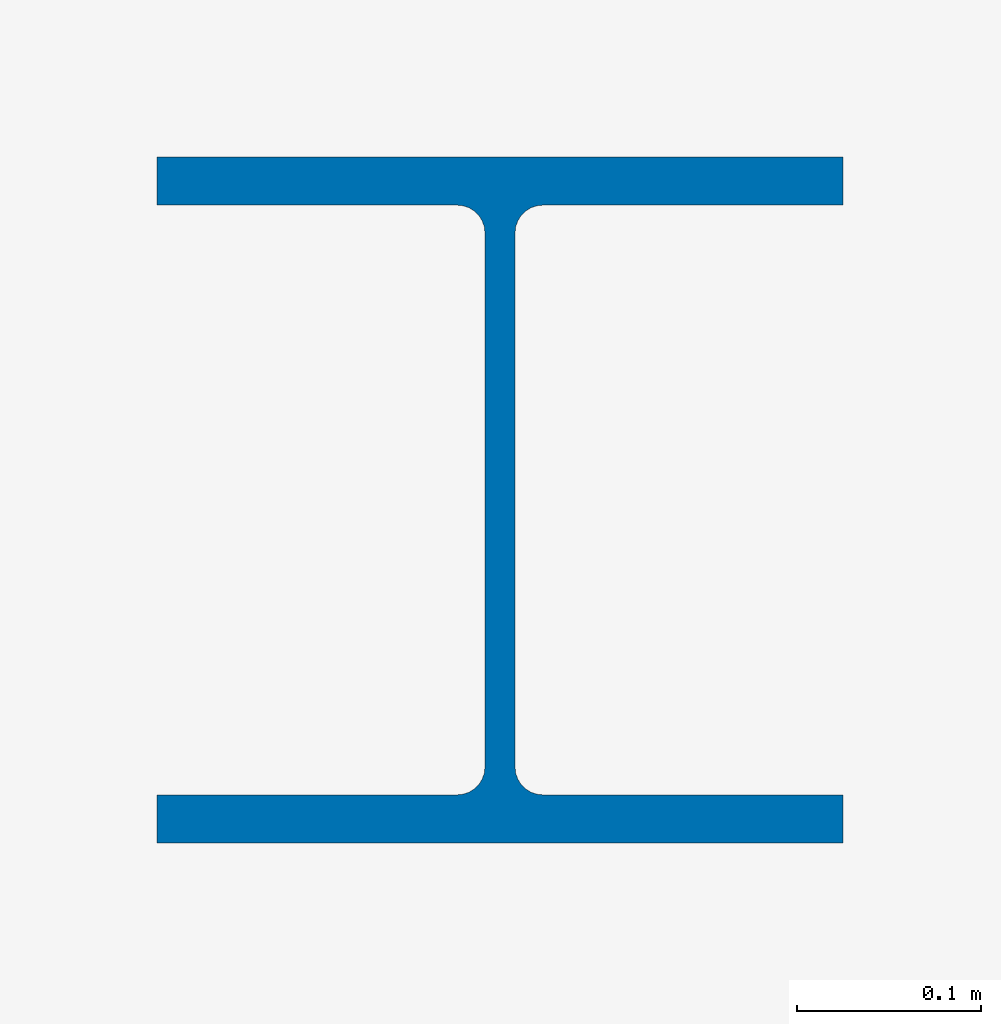
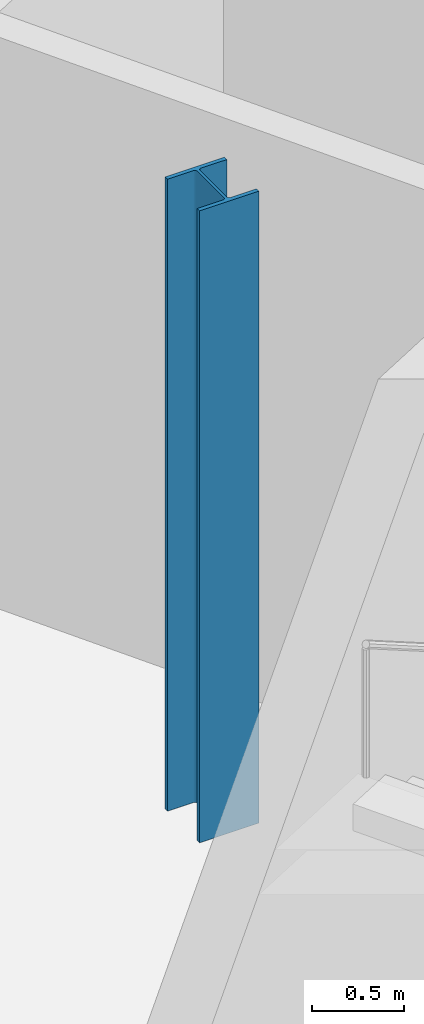
# One storey, part 1 of 15: 1 column.
"""IFC4 building model written with IfcOpenShell, lengths in metres."""

from ifc_helpers import new_model, si_unit, direction, frame, origin, origin_2d, place, context, subcontext, project, spatial, i_section, extrude, material, material_profile, profile_set, type_object, element, save


model = new_model("IFC4")

# Units and contexts
model_context = context("Model", 3, precision=1e-05, world=origin(), true_north=direction((0.0, 1.0)))
body_context = subcontext(model_context, "Body", "Model", "MODEL_VIEW")
ifc_project = project(units=[si_unit("LENGTHUNIT", "METRE"), si_unit("AREAUNIT", "SQUARE_METRE"), si_unit("VOLUMEUNIT", "CUBIC_METRE"), si_unit("PLANEANGLEUNIT", "RADIAN"), si_unit("MASSUNIT", "GRAM", prefix="KILO")], contexts=[model_context])

# Site, building, storey
site_placement = place(None, origin())
site = spatial("IfcSite", under=ifc_project, at=site_placement, CompositionType="ELEMENT")
building_placement = place(site_placement, origin())
building = spatial("IfcBuilding", under=site, at=building_placement, Name="Cormorant Relay Tower", CompositionType="ELEMENT")
storey_placement = place(building_placement, frame((0.0, 0.0, 336.60009765625)))
storey = spatial("IfcBuildingStorey", under=building, at=storey_placement, Name="C3", CompositionType="ELEMENT", Elevation=336.60009765625)

# Column
ifc_material = material(Name="Steel ASTM A992 (Fy 345 MPa)", Category="steel")
ifc_material_profile = material_profile(ifc_material, i_section(OverallWidth=0.373291015625, OverallDepth=0.373291015625, WebThickness=0.016357421875, FlangeThickness=0.026123046875, FilletRadius=0.01513671875, at=origin_2d()), Name="W360x196")
ifc_profile_set = profile_set([ifc_material_profile], Name="Steel ASTM A992 (Fy 345 MPa)")
column_type = type_object("IfcColumnType", Name="Column W360x196", PredefinedType="COLUMN", material=ifc_profile_set)
column_placement = place(storey_placement, frame((-51.68994140625, 15.251953125, 0.0), z_axis=(0.0, 0.0, 1.0), x_axis=(1.0, 0.0, 0.0)))
element("IfcColumn", 1, at=column_placement, inside=storey, type_object=column_type, Name="Column C3-004", PredefinedType="COLUMN", context=body_context, shape_type="SweptSolid", body=[
    extrude(i_section(OverallWidth=0.373291015625, OverallDepth=0.373291015625, WebThickness=0.016357421875, FlangeThickness=0.026123046875, FilletRadius=0.01513671875, at=origin_2d()), origin(), (0.0, 0.0, 1.0), 4.199951171875),
])

save(model, "model.ifc")
